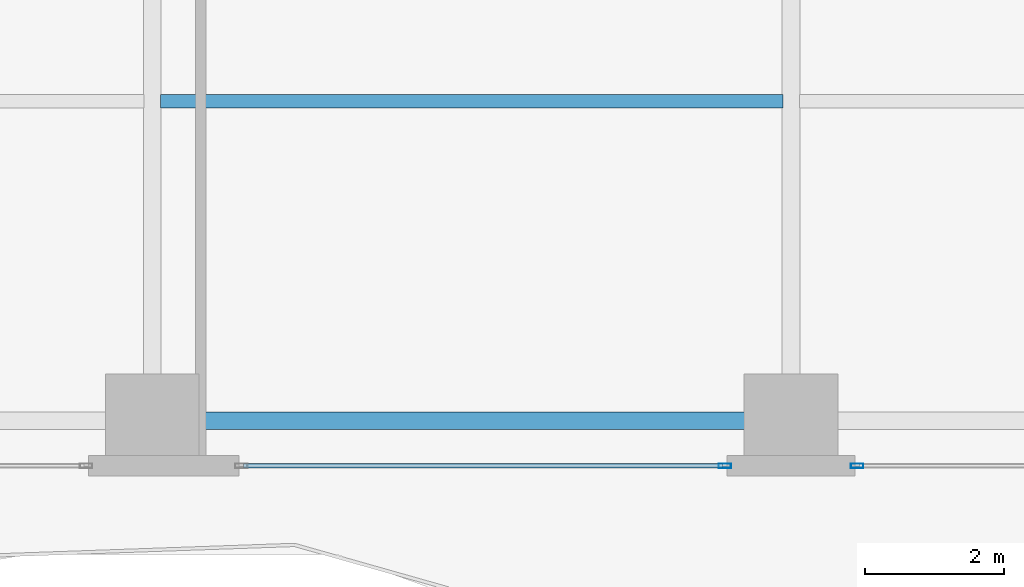
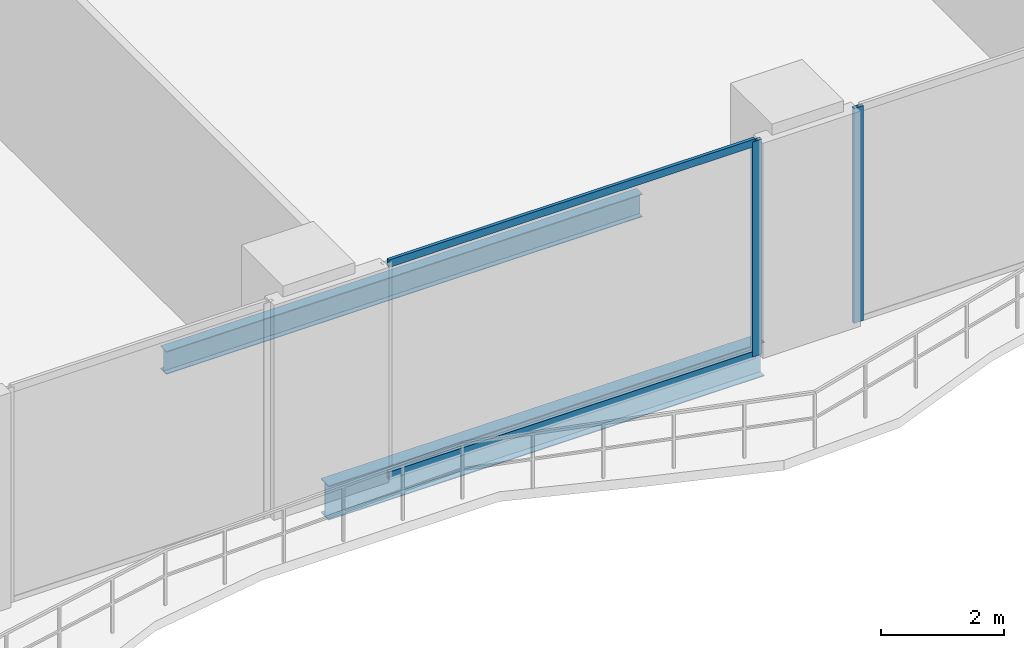
# One storey, part 6 of 33: 4 members, 2 beams, 2 elements without a shape of their own.
"""IFC4 building model written with IfcOpenShell, lengths in metres."""

from ifc_helpers import new_model, si_unit, direction, frame, origin, origin_2d, place, context, subcontext, project, spatial, hollow_rectangle, i_section, extrude, material, layer, layer_set, material_profile, profile_set, type_object, element, aggregate, save


model = new_model("IFC4")

# Units and contexts
model_context = context("Model", 3, precision=1e-05, world=origin(), true_north=direction((0.0, 1.0)))
body_context = subcontext(model_context, "Body", "Model", "MODEL_VIEW")
ifc_project = project(units=[si_unit("LENGTHUNIT", "METRE"), si_unit("AREAUNIT", "SQUARE_METRE"), si_unit("VOLUMEUNIT", "CUBIC_METRE"), si_unit("PLANEANGLEUNIT", "RADIAN"), si_unit("MASSUNIT", "GRAM", prefix="KILO")], contexts=[model_context])

# Site, building, storey
site_placement = place(None, origin())
site = spatial("IfcSite", under=ifc_project, at=site_placement, CompositionType="ELEMENT")
building_placement = place(site_placement, origin())
building = spatial("IfcBuilding", under=site, at=building_placement, Name="Zuhayl Quay Hotel", CompositionType="ELEMENT")
storey_placement = place(building_placement, frame((0.0, 0.0, 154.050048828125)))
storey = spatial("IfcBuildingStorey", under=building, at=storey_placement, Name="L39", CompositionType="ELEMENT", Elevation=154.050048828125)

# Beams
ifc_material_1 = material(Name="Steel ASTM A992 Grade 50", Category="steel")
ifc_material_profile_1 = material_profile(ifc_material_1, i_section(OverallWidth=0.25390625, OverallDepth=0.68310546875, WebThickness=0.012451171875, FlangeThickness=0.018798828125, at=origin_2d()), Name="W27X94")
ifc_profile_set_1 = profile_set([ifc_material_profile_1], Name="Steel ASTM A992 Grade 50")
beam_type_1 = type_object("IfcBeamType", Name="BM_B2_W27X94", PredefinedType="BEAM", material=ifc_profile_set_1)
beam_1_placement = place(storey_placement, frame((-4.10009765625, -14.75, -0.5615234375), z_axis=(1.0, 0.0, 0.0), x_axis=(0.0, 1.0, 0.0)))
element("IfcBeam", 1, at=beam_1_placement, inside=storey, type_object=beam_type_1, Name="L39 Floor Beam RG_L39_02", PredefinedType="BEAM", context=body_context, shape_type="SweptSolid", body=[
    extrude(i_section(OverallWidth=0.25390625, OverallDepth=0.68310546875, WebThickness=0.012451171875, FlangeThickness=0.018798828125, at=origin_2d()), origin(), (0.0, 0.0, 1.0), 8.2001953125),
])
ifc_material_profile_2 = material_profile(ifc_material_1, i_section(OverallWidth=0.18994140625, OverallDepth=0.45703125, WebThickness=0.009033203125, FlangeThickness=0.014404296875, at=origin_2d()), Name="W18X50")
ifc_profile_set_2 = profile_set([ifc_material_profile_2], Name="Steel ASTM A992 Grade 50")
beam_type_2 = type_object("IfcBeamType", Name="BM_J2_W18X50", PredefinedType="JOIST", material=ifc_profile_set_2)
beam_2_placement = place(storey_placement, frame((-4.48095703125, -10.14990234375, -0.448486328125), z_axis=(1.0, 0.0, 0.0), x_axis=(0.0, 1.0, 0.0)))
element("IfcBeam", 2, at=beam_2_placement, inside=storey, type_object=beam_type_2, Name="L39 Floor Beam FJ_L39_5_2", PredefinedType="JOIST", context=body_context, shape_type="SweptSolid", body=[
    extrude(i_section(OverallWidth=0.18994140625, OverallDepth=0.45703125, WebThickness=0.009033203125, FlangeThickness=0.014404296875, at=origin_2d()), origin(), (0.0, 0.0, 1.0), 8.9619140625),
])

# Curtain wall, member
ifc_material_2 = material(Name="Anodised Aluminium 6063-T6", Category="aluminium")
ifc_layer = layer(ifc_material_2, 0.179931640625, Name="Anodised Aluminium 6063-T6", Category="aluminium")
ifc_layer_set = layer_set([ifc_layer], Name="Anodised Aluminium 6063-T6")
curtain_wall_type = type_object("IfcCurtainWallType", Name="CW_SYS_Z2", PredefinedType="USERDEFINED", material=ifc_layer_set)
curtain_wall_1_placement = place(storey_placement, origin())
curtain_wall_1 = element("IfcCurtainWall", 3, at=curtain_wall_1_placement, inside=storey, type_object=curtain_wall_type, Name="L39 Curtain Wall ENV_L39_S_CW2", ObjectType="UNITISED CURTAIN WALL", PredefinedType="USERDEFINED")
ifc_material_3 = material(Name="Black-anodised aluminium 6063-T6", Category="aluminium")
ifc_material_profile_3 = material_profile(ifc_material_3, hollow_rectangle(XDim=0.06494140625, YDim=0.179931640625, WallThickness=0.00341796875, at=origin_2d()), Name="ALU180X65")
ifc_profile_set_3 = profile_set([ifc_material_profile_3], Name="Black-anodised aluminium 6063-T6")
member_type_1 = type_object("IfcMemberType", Name="MB_CW_MUL_180", PredefinedType="MULLION", material=ifc_profile_set_3)
member_1_placement = place(storey_placement, frame((5.552490234375, -15.39990234375, 0.0), z_axis=(0.0, 0.0, 1.0), x_axis=(0.0, -1.0, 0.0)))
member_1 = element("IfcMember", 4, at=member_1_placement, type_object=member_type_1, Name="CW-Z2 mullion 2", PredefinedType="MULLION", context=body_context, shape_type="SweptSolid", body=[
    extrude(hollow_rectangle(XDim=0.06494140625, YDim=0.179931640625, WallThickness=0.00341796875, at=origin_2d()), origin(), (0.0, 0.0, 1.0), 4.280029296875),
])
aggregate(curtain_wall_1, [member_1])

# Curtain wall, members
curtain_wall_2_placement = place(storey_placement, origin())
curtain_wall_2 = element("IfcCurtainWall", 5, at=curtain_wall_2_placement, inside=storey, type_object=curtain_wall_type, Name="L39 Curtain Wall ENV_L39_S_CW3", ObjectType="UNITISED CURTAIN WALL", PredefinedType="USERDEFINED")
member_2_placement = place(storey_placement, frame((3.6474609375, -15.39990234375, 0.0), z_axis=(0.0, 0.0, 1.0), x_axis=(0.0, -1.0, 0.0)))
member_2 = element("IfcMember", 6, at=member_2_placement, type_object=member_type_1, Name="CW-Z2 mullion 1", PredefinedType="MULLION", context=body_context, shape_type="SweptSolid", body=[
    extrude(hollow_rectangle(XDim=0.06494140625, YDim=0.179931640625, WallThickness=0.00341796875, at=origin_2d()), origin(), (0.0, 0.0, 1.0), 4.280029296875),
])
ifc_material_profile_4 = material_profile(ifc_material_3, hollow_rectangle(XDim=0.06005859375, YDim=0.14990234375, WallThickness=0.00341796875, at=origin_2d()), Name="ALU150X60")
ifc_profile_set_4 = profile_set([ifc_material_profile_4], Name="Black-anodised aluminium 6063-T6")
member_type_2 = type_object("IfcMemberType", Name="MB_CW_TRN_150", PredefinedType="USERDEFINED", material=ifc_profile_set_4)
member_3_placement = place(storey_placement, frame((3.614990234375, -15.39990234375, 0.030029296875), z_axis=(-1.0, 0.0, 0.0), x_axis=(0.0, -1.0, 0.0)))
member_3 = element("IfcMember", 7, at=member_3_placement, type_object=member_type_2, Name="CW-Z2 transom 1.1", ObjectType="TRANSOM", PredefinedType="USERDEFINED", context=body_context, shape_type="SweptSolid", body=[
    extrude(hollow_rectangle(XDim=0.06005859375, YDim=0.14990234375, WallThickness=0.00341796875, at=origin_2d()), origin(), (0.0, 0.0, 1.0), 6.89990234375),
])
member_4_placement = place(storey_placement, frame((3.614990234375, -15.39990234375, 4.25), z_axis=(-1.0, 0.0, 0.0), x_axis=(0.0, -1.0, 0.0)))
member_4 = element("IfcMember", 8, at=member_4_placement, type_object=member_type_2, Name="CW-Z2 transom 1.2", ObjectType="TRANSOM", PredefinedType="USERDEFINED", context=body_context, shape_type="SweptSolid", body=[
    extrude(hollow_rectangle(XDim=0.06005859375, YDim=0.14990234375, WallThickness=0.00341796875, at=origin_2d()), origin(), (0.0, 0.0, 1.0), 6.89990234375),
])
aggregate(curtain_wall_2, [member_2, member_3, member_4])

save(model, "model.ifc")
